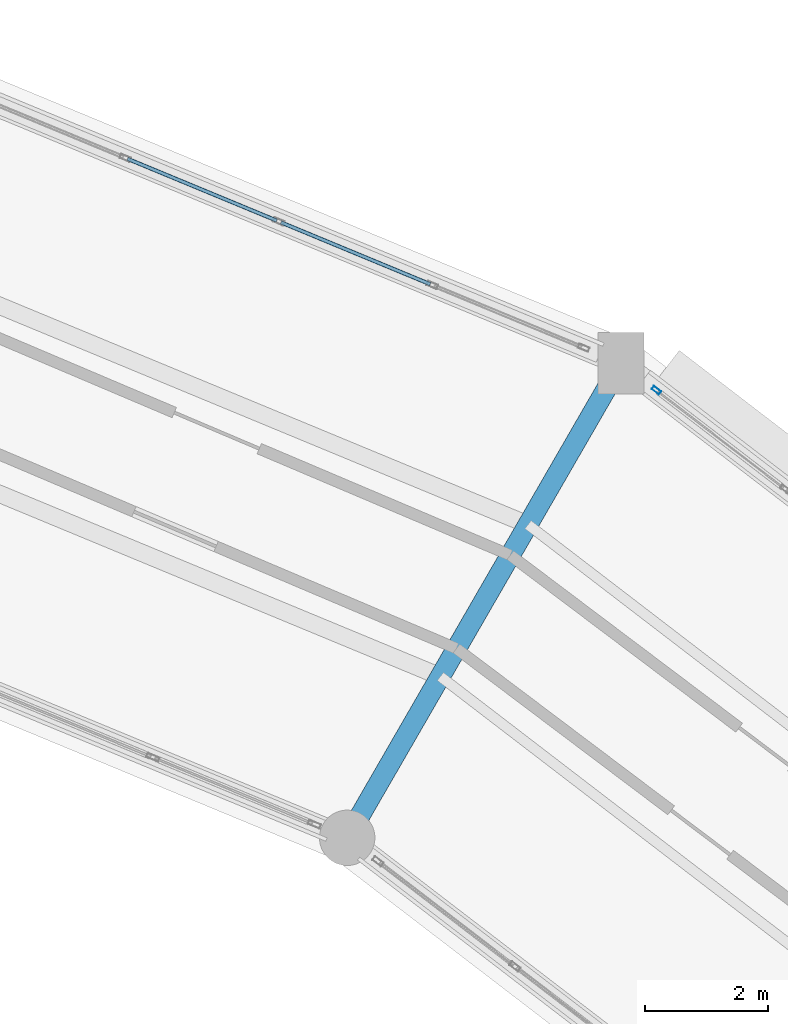
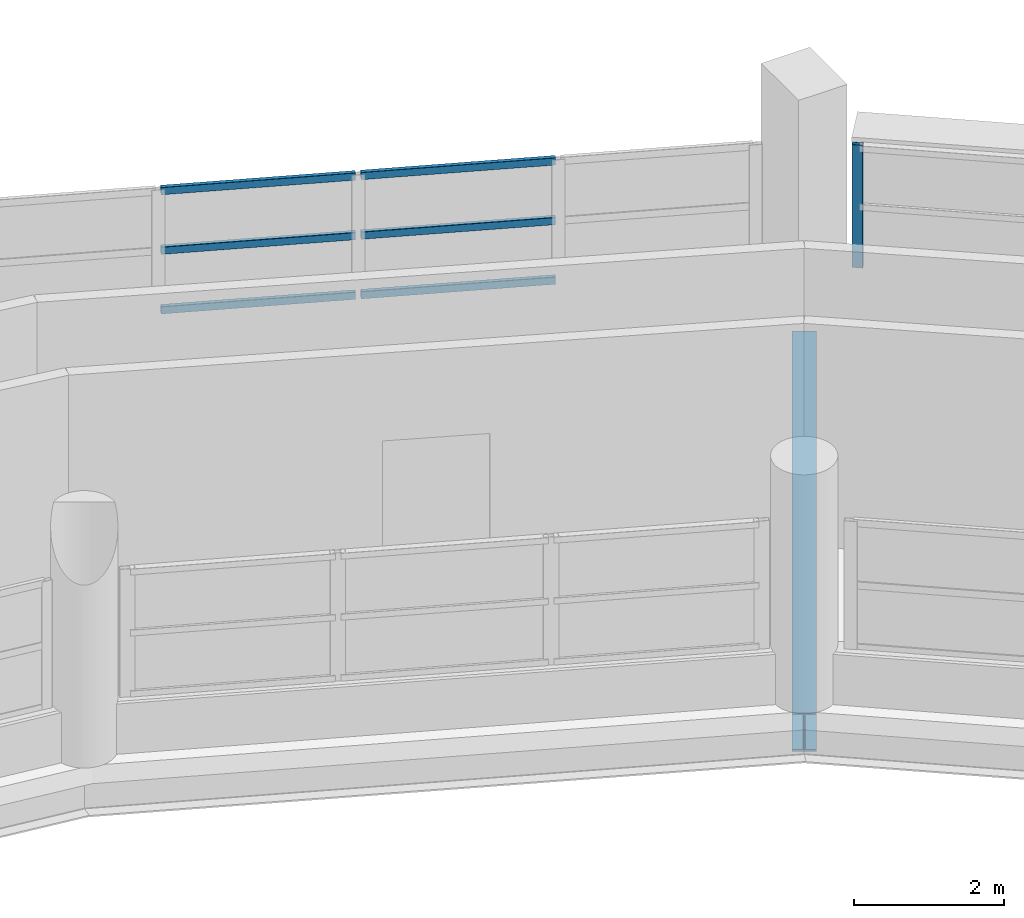
# One storey, part 56 of 88: 7 members, 1 beam, 2 elements without a shape of their own.
"""IFC4 building model written with IfcOpenShell, lengths in metres."""

from ifc_helpers import new_model, si_unit, direction, frame, origin, origin_2d, place, context, subcontext, project, spatial, hollow_rectangle, i_section, extrude, material, layer, layer_set, material_profile, profile_set, type_object, element, aggregate, save


model = new_model("IFC4")

# Units and contexts
model_context = context("Model", 3, precision=1e-05, world=origin(), true_north=direction((0.0, 1.0)))
body_context = subcontext(model_context, "Body", "Model", "MODEL_VIEW")
ifc_project = project(units=[si_unit("LENGTHUNIT", "METRE"), si_unit("AREAUNIT", "SQUARE_METRE"), si_unit("VOLUMEUNIT", "CUBIC_METRE"), si_unit("PLANEANGLEUNIT", "RADIAN"), si_unit("MASSUNIT", "GRAM", prefix="KILO")], contexts=[model_context])

# Site, building, storey
site_placement = place(None, origin())
site = spatial("IfcSite", under=ifc_project, at=site_placement, CompositionType="ELEMENT")
building_placement = place(site_placement, origin())
building = spatial("IfcBuilding", under=site, at=building_placement, Name="Vespera Passage Community Centre", CompositionType="ELEMENT")
storey_placement = place(building_placement, frame((0.0, 0.0, 16.5)))
storey = spatial("IfcBuildingStorey", under=building, at=storey_placement, Name="L04", CompositionType="ELEMENT", Elevation=16.5)

# Beam
ifc_material_1 = material(Name="Steel ASTM A992 Grade 50", Category="steel")
ifc_material_profile_1 = material_profile(ifc_material_1, i_section(OverallWidth=0.32763671875, OverallDepth=0.62841796875, WebThickness=0.0166015625, FlangeThickness=0.027587890625, FilletRadius=0.0126953125, at=origin_2d()), Name="W24X146")
ifc_profile_set_1 = profile_set([ifc_material_profile_1], Name="Steel ASTM A992 Grade 50")
beam_type = type_object("IfcBeamType", Name="BM-G-W24X146", PredefinedType="BEAM", material=ifc_profile_set_1)
beam_placement = place(storey_placement, frame((96.60009765625, 97.716064453125, -0.6142578125), z_axis=(0.499989191739, 0.866031643847, 0.0), x_axis=(-0.866031643847, 0.499989191739, 0.0)))
element("IfcBeam", 1, at=beam_placement, inside=storey, type_object=beam_type, Name="V4 L04 Radial Girder 4", PredefinedType="BEAM", context=body_context, shape_type="SweptSolid", body=[
    extrude(i_section(OverallWidth=0.32763671875, OverallDepth=0.62841796875, WebThickness=0.0166015625, FlangeThickness=0.027587890625, FilletRadius=0.0126953125, at=origin_2d()), origin(), (0.0, 0.0, 1.0), 8.900146484375),
])

# Curtain wall, member
ifc_material_2 = material(Name="Anodized aluminium 6063-T6", Category="aluminium")
ifc_layer_1 = layer(ifc_material_2, 0.159912109375)
ifc_layer_set_1 = layer_set([ifc_layer_1], Name="Anodized aluminium 6063-T6")
curtain_wall_type_1 = type_object("IfcCurtainWallType", Name="CW-53E", PredefinedType="NOTDEFINED", material=ifc_layer_set_1)
curtain_wall_1_placement = place(storey_placement, origin())
curtain_wall_1 = element("IfcCurtainWall", 2, at=curtain_wall_1_placement, inside=storey, type_object=curtain_wall_type_1, Name="V4 L04 Outer Ribbon Curtain Wall 3", PredefinedType="NOTDEFINED")
ifc_material_3 = material(Name="Anodized aluminium 6063-T6", Category="aluminium")
ifc_material_profile_2 = material_profile(ifc_material_3, hollow_rectangle(XDim=0.06494140625, YDim=0.14990234375, WallThickness=0.00390625, InnerFilletRadius=0.001953125, OuterFilletRadius=0.00390625, at=origin_2d()), Name="ALU150X65X4")
ifc_profile_set_2 = profile_set([ifc_material_profile_2], Name="Anodized aluminium 6063-T6")
member_type_1 = type_object("IfcMemberType", Name="MB-CWM-150E", PredefinedType="MULLION", material=ifc_profile_set_2)
member_1_placement = place(storey_placement, frame((101.621337890625, 104.9853515625, 0.820068359375), z_axis=(0.0, 0.0, 1.0), x_axis=(0.608771824991, 0.793345363065, 0.0)))
member_1 = element("IfcMember", 3, at=member_1_placement, type_object=member_type_1, Name="CW-53E mullion 1", PredefinedType="MULLION", context=body_context, shape_type="SweptSolid", body=[
    extrude(hollow_rectangle(XDim=0.06494140625, YDim=0.14990234375, WallThickness=0.00390625, InnerFilletRadius=0.001953125, OuterFilletRadius=0.00390625, at=origin_2d()), origin(), (0.0, 0.0, 1.0), 2.005615234375),
])
aggregate(curtain_wall_1, [member_1])

# Curtain wall, members
ifc_material_4 = material(Name="Anodized aluminium 6063-T6", Category="aluminium")
ifc_layer_2 = layer(ifc_material_4, 0.159912109375)
ifc_layer_set_2 = layer_set([ifc_layer_2], Name="Anodized aluminium 6063-T6")
curtain_wall_type_2 = type_object("IfcCurtainWallType", Name="CW-55E", PredefinedType="NOTDEFINED", material=ifc_layer_set_2)
curtain_wall_2_placement = place(storey_placement, origin())
curtain_wall_2 = element("IfcCurtainWall", 4, at=curtain_wall_2_placement, inside=storey, type_object=curtain_wall_type_2, Name="V4 L04 Outer Ribbon Curtain Wall 4", PredefinedType="NOTDEFINED")
ifc_material_5 = material(Name="Anodized aluminium 6063-T6", Category="aluminium")
ifc_material_profile_3 = material_profile(ifc_material_5, hollow_rectangle(XDim=0.06005859375, YDim=0.1201171875, WallThickness=0.00390625, InnerFilletRadius=0.001953125, OuterFilletRadius=0.00390625, at=origin_2d()), Name="ALU120X60X4")
ifc_profile_set_3 = profile_set([ifc_material_profile_3], Name="Anodized aluminium 6063-T6")
member_type_2 = type_object("IfcMemberType", Name="MB-CWT-120E", PredefinedType="USERDEFINED", material=ifc_profile_set_3)
member_2_placement = place(storey_placement, frame((93.03271484375, 108.74462890625, 0.85009765625), z_axis=(0.92389545334, -0.382644993822, 0.0), x_axis=(0.382644993822, 0.92389545334, 0.0)))
member_2 = element("IfcMember", 5, at=member_2_placement, type_object=member_type_2, Name="CW-55E transom 2.1", ObjectType="TRANSOM", PredefinedType="USERDEFINED", context=body_context, shape_type="SweptSolid", body=[
    extrude(hollow_rectangle(XDim=0.06005859375, YDim=0.1201171875, WallThickness=0.00390625, InnerFilletRadius=0.001953125, OuterFilletRadius=0.00390625, at=origin_2d()), origin(), (0.0, 0.0, 1.0), 2.623046875),
])
member_3_placement = place(storey_placement, frame((93.03271484375, 108.74462890625, 1.82275390625), z_axis=(0.92389545334, -0.382644993822, 0.0), x_axis=(0.382644993822, 0.92389545334, 0.0)))
member_3 = element("IfcMember", 6, at=member_3_placement, type_object=member_type_2, Name="CW-55E transom 2.2", ObjectType="TRANSOM", PredefinedType="USERDEFINED", context=body_context, shape_type="SweptSolid", body=[
    extrude(hollow_rectangle(XDim=0.06005859375, YDim=0.1201171875, WallThickness=0.00390625, InnerFilletRadius=0.001953125, OuterFilletRadius=0.00390625, at=origin_2d()), origin(), (0.0, 0.0, 1.0), 2.623046875),
])
member_4_placement = place(storey_placement, frame((93.03271484375, 108.74462890625, 2.795654296875), z_axis=(0.92389545334, -0.382644993822, 0.0), x_axis=(0.382644993822, 0.92389545334, 0.0)))
member_4 = element("IfcMember", 7, at=member_4_placement, type_object=member_type_2, Name="CW-55E transom 2.3", ObjectType="TRANSOM", PredefinedType="USERDEFINED", context=body_context, shape_type="SweptSolid", body=[
    extrude(hollow_rectangle(XDim=0.06005859375, YDim=0.1201171875, WallThickness=0.00390625, InnerFilletRadius=0.001953125, OuterFilletRadius=0.00390625, at=origin_2d()), origin(), (0.0, 0.0, 1.0), 2.623046875),
])
member_5_placement = place(storey_placement, frame((95.525390625, 107.712158203125, 0.85009765625), z_axis=(0.92387617736, -0.382691532316, 0.0), x_axis=(0.382691532316, 0.92387617736, 0.0)))
member_5 = element("IfcMember", 8, at=member_5_placement, type_object=member_type_2, Name="CW-55E transom 3.1", ObjectType="TRANSOM", PredefinedType="USERDEFINED", context=body_context, shape_type="SweptSolid", body=[
    extrude(hollow_rectangle(XDim=0.06005859375, YDim=0.1201171875, WallThickness=0.00390625, InnerFilletRadius=0.001953125, OuterFilletRadius=0.00390625, at=origin_2d()), origin(), (0.0, 0.0, 1.0), 2.623291015625),
])
member_6_placement = place(storey_placement, frame((95.525390625, 107.712158203125, 1.82275390625), z_axis=(0.92387617736, -0.382691532316, 0.0), x_axis=(0.382691532316, 0.92387617736, 0.0)))
member_6 = element("IfcMember", 9, at=member_6_placement, type_object=member_type_2, Name="CW-55E transom 3.2", ObjectType="TRANSOM", PredefinedType="USERDEFINED", context=body_context, shape_type="SweptSolid", body=[
    extrude(hollow_rectangle(XDim=0.06005859375, YDim=0.1201171875, WallThickness=0.00390625, InnerFilletRadius=0.001953125, OuterFilletRadius=0.00390625, at=origin_2d()), origin(), (0.0, 0.0, 1.0), 2.623291015625),
])
member_7_placement = place(storey_placement, frame((95.525390625, 107.712158203125, 2.795654296875), z_axis=(0.92387617736, -0.382691532316, 0.0), x_axis=(0.382691532316, 0.92387617736, 0.0)))
member_7 = element("IfcMember", 10, at=member_7_placement, type_object=member_type_2, Name="CW-55E transom 3.3", ObjectType="TRANSOM", PredefinedType="USERDEFINED", context=body_context, shape_type="SweptSolid", body=[
    extrude(hollow_rectangle(XDim=0.06005859375, YDim=0.1201171875, WallThickness=0.00390625, InnerFilletRadius=0.001953125, OuterFilletRadius=0.00390625, at=origin_2d()), origin(), (0.0, 0.0, 1.0), 2.623291015625),
])
aggregate(curtain_wall_2, [member_2, member_3, member_4, member_5, member_6, member_7])

save(model, "model.ifc")
